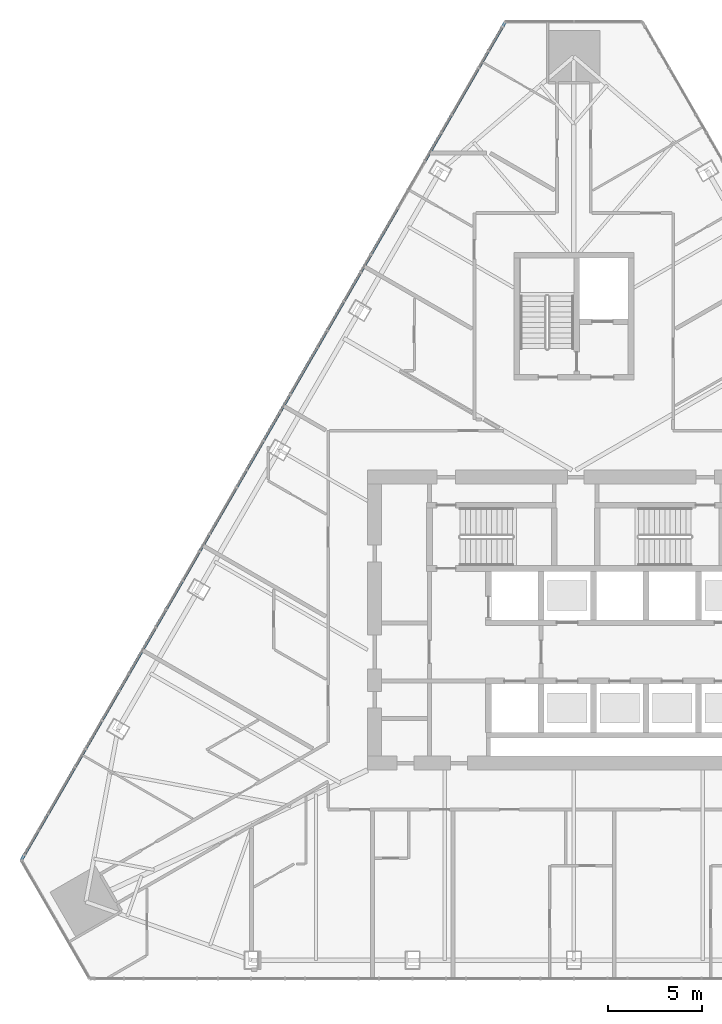
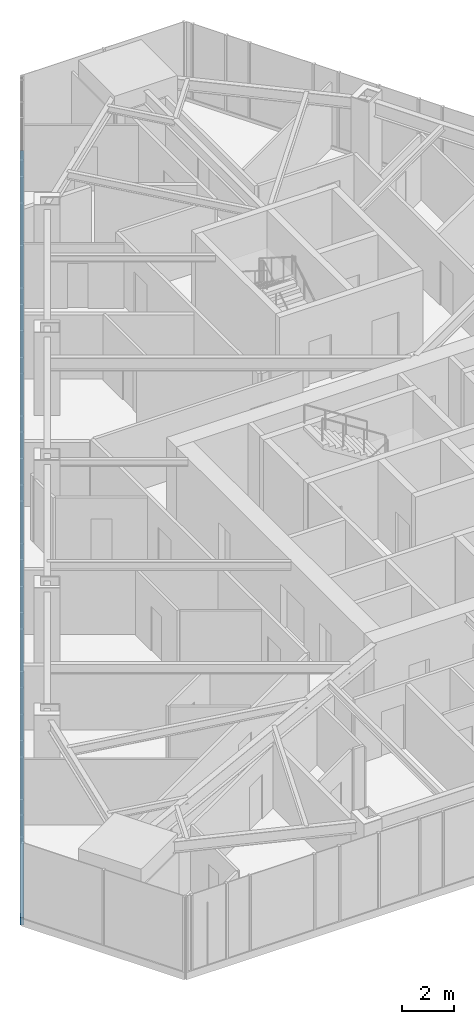
# One storey, part 5 of 24: 1 member, 1 element without a shape of its own.
"""IFC4 building model written with IfcOpenShell, lengths in metres."""

import ifcopenshell
import ifcopenshell.guid

model = None  # the IFC model being written
_history = None  # IfcOwnerHistory: only IFC2X3 demands one
_inside = {}  # id of a spatial element -> (the spatial element, [elements in it])
_under = {}  # id of a project, library or spatial element -> (it, [spatial elements below it])
_declared = {}  # id of a project -> (the project, [libraries it declares])
_typed = {}  # id of a type object -> (the type object, [elements of that type])
_made_of = {}  # id of a material, layer set ... -> (it, [elements and type objects made of it])


def new_model(schema):
    """Start an empty IFC model of exactly this schema.

    Asked for "IFC4X3", IfcOpenShell would pick the latest addendum, in which some entities
    have other attributes; the version numbers below select the first issue.
    IFC2X3 requires an IfcOwnerHistory on every rooted entity: one is made here for all.
    """
    global model, _history
    if schema == "IFC4X3":
        model = ifcopenshell.file(schema_version=(4, 3, 0, 0))
    else:
        model = ifcopenshell.file(schema=schema)
    _inside.clear()
    _under.clear()
    _declared.clear()
    _typed.clear()
    _made_of.clear()
    _history = None
    if model.schema == "IFC2X3":
        org = make("IfcOrganization", Name="unknown")
        user = make(
            "IfcPersonAndOrganization",
            ThePerson=make("IfcPerson", FamilyName="unknown"),
            TheOrganization=org,
        )
        app = make(
            "IfcApplication",
            ApplicationDeveloper=org,
            Version="unknown",
            ApplicationFullName="unknown",
            ApplicationIdentifier="unknown",
        )
        _history = make(
            "IfcOwnerHistory",
            OwningUser=user,
            OwningApplication=app,
            ChangeAction="ADDED",
            CreationDate=0,
        )
    return model


def make(cls, **values):
    """One entity of the class cls with the attributes given. An attribute that is None is left unset."""
    return model.create_entity(
        cls, **{name: value for name, value in values.items() if value is not None}
    )


def rooted(cls, **values):
    """An entity with a GlobalId (a new one), such as an element, a storey or a relation."""
    return make(cls, GlobalId=ifcopenshell.guid.new(), OwnerHistory=_history, **values)


def si_unit(unit_type, name, prefix=None):
    """IfcSIUnit, for example si_unit("LENGTHUNIT", "METRE", prefix="MILLI")."""
    return make("IfcSIUnit", UnitType=unit_type, Prefix=prefix, Name=name)


def assignment(units):
    """IfcUnitAssignment: the units of a project."""
    return None if units is None else make("IfcUnitAssignment", Units=units)


def point(xyz):
    """IfcCartesianPoint."""
    return None if xyz is None else make("IfcCartesianPoint", Coordinates=xyz)


def direction(xyz):
    """IfcDirection."""
    return None if xyz is None else make("IfcDirection", DirectionRatios=xyz)


def frame(location, z_axis=None, x_axis=None):
    """IfcAxis2Placement3D, a coordinate frame: its origin and axes. An axis left out is left unset."""
    return make(
        "IfcAxis2Placement3D",
        Location=point(location),
        Axis=direction(z_axis),
        RefDirection=direction(x_axis),
    )


def frame_2d(location, x_axis=None):
    """IfcAxis2Placement2D, a coordinate frame in the plane: its origin and x axis."""
    return make(
        "IfcAxis2Placement2D", Location=point(location), RefDirection=direction(x_axis)
    )


def origin():
    """The frame at (0, 0, 0) with its axes left unset."""
    return frame((0.0, 0.0, 0.0))


def origin_2d():
    """The frame at (0, 0) in the plane with its x axis left unset."""
    return frame_2d((0.0, 0.0))


def place(relative_to, where):
    """IfcLocalPlacement: puts the frame where relative to a parent placement (None: the world)."""
    return make(
        "IfcLocalPlacement", PlacementRelTo=relative_to, RelativePlacement=where
    )


def context(
    kind, dimensions, precision=None, world=None, true_north=None, identifier=None
):
    """IfcGeometricRepresentationContext, for example the 3D "Model" context."""
    return make(
        "IfcGeometricRepresentationContext",
        ContextIdentifier=identifier,
        ContextType=kind,
        CoordinateSpaceDimension=dimensions,
        Precision=precision,
        WorldCoordinateSystem=world,
        TrueNorth=true_north,
    )


def subcontext(parent, identifier, kind, view, scale=None):
    """IfcGeometricRepresentationSubContext, for example "Body" below "Model"."""
    return make(
        "IfcGeometricRepresentationSubContext",
        ContextIdentifier=identifier,
        ContextType=kind,
        ParentContext=parent,
        TargetScale=scale,
        TargetView=view,
    )


def project(units=None, contexts=None):
    """IfcProject with its units and contexts."""
    return rooted(
        "IfcProject",
        Name="project",
        RepresentationContexts=contexts,
        UnitsInContext=assignment(units),
    )


def spatial(cls, under=None, at=None, **own):
    """A site, building, storey or space (cls), placed at a placement, below another one or the project."""
    s = rooted(cls, ObjectPlacement=at, **own)
    if under is not None:
        _under.setdefault(under.id(), (under, []))[1].append(s)
    return s


def profile(cls, at=None, kind="AREA", **sizes):
    """A parametric profile (cls). Its sizes go by their IFC names, for example OverallWidth=200.0."""
    return make(cls, ProfileType=kind, Position=at, **sizes)


def rectangle(**sizes):
    """IfcRectangleProfileDef."""
    return profile("IfcRectangleProfileDef", **sizes)


def extrude(swept, where, along, depth):
    """IfcExtrudedAreaSolid: the profile swept, set in the frame where, extruded along a direction by depth."""
    return make(
        "IfcExtrudedAreaSolid",
        SweptArea=swept,
        Position=where,
        ExtrudedDirection=direction(along),
        Depth=depth,
    )


def shape(context_of_items, identifier, shape_type, items):
    """IfcShapeRepresentation: the items that make up one representation, for example the "Body"."""
    return make(
        "IfcShapeRepresentation",
        ContextOfItems=context_of_items,
        RepresentationIdentifier=identifier,
        RepresentationType=shape_type,
        Items=items,
    )


def material(Name=None, Category=None):
    """IfcMaterial."""
    return make("IfcMaterial", Name=Name, Category=Category)


def layer(
    of_material, thickness, ventilated=None, Name=None, Category=None, Priority=None
):
    """IfcMaterialLayer: one layer of a wall or slab, of a material (None: an air gap)."""
    return make(
        "IfcMaterialLayer",
        Material=of_material,
        LayerThickness=thickness,
        IsVentilated=ventilated,
        Name=Name,
        Category=Category,
        Priority=Priority,
    )


def layer_set(layers, Name=None):
    """IfcMaterialLayerSet."""
    return make("IfcMaterialLayerSet", MaterialLayers=layers, LayerSetName=Name)


def material_profile(
    of_material, cross_section, Name=None, Category=None, Priority=None
):
    """IfcMaterialProfile: a cross section and its material."""
    return make(
        "IfcMaterialProfile",
        Name=Name,
        Material=of_material,
        Profile=cross_section,
        Priority=Priority,
        Category=Category,
    )


def profile_set(profiles, Name=None, composite=None):
    """IfcMaterialProfileSet."""
    return make(
        "IfcMaterialProfileSet",
        Name=Name,
        MaterialProfiles=profiles,
        CompositeProfile=composite,
    )


def made_of(thing, what):
    """Note that an element or type object is made of a material, layer set ...; save() writes the relation."""
    if what is not None:
        _made_of.setdefault(what.id(), (what, []))[1].append(thing)
    return thing


def type_object(cls, material=None, **own):
    """A type object (cls), such as IfcWallType, which elements share."""
    return made_of(rooted(cls, **own), material)


def element(
    cls,
    number,
    at=None,
    inside=None,
    cuts=None,
    type_object=None,
    material=None,
    context=None,
    identifier="Body",
    shape_type=None,
    held_by="IfcProductDefinitionShape",
    body=None,
    shapes=None,
    **own,
):
    """One element of the class cls, such as IfcWall. Its Tag is "e" and its number.

    at: its placement. inside: the storey or other place that contains it. cuts: it is an
    opening in that element (IfcRelVoidsElement). A single representation is given by context,
    identifier, shape_type and body (its items); several are given by shapes. held_by: the class
    of the entity that holds the representations. save() writes the other relations.
    """
    e = rooted(cls, Tag="e%d" % number, ObjectPlacement=at, **own)
    if body is not None:
        shapes = [shape(context, identifier, shape_type, body)]
    if shapes is not None:
        e.Representation = make(held_by, Representations=shapes)
    if inside is not None:
        _inside.setdefault(inside.id(), (inside, []))[1].append(e)
    if cuts is not None:
        rooted(
            "IfcRelVoidsElement", RelatingBuildingElement=cuts, RelatedOpeningElement=e
        )
    if type_object is not None:
        _typed.setdefault(type_object.id(), (type_object, []))[1].append(e)
    return made_of(e, material)


def aggregate(whole, parts):
    """IfcRelAggregates: a whole, such as a stair, and the parts it consists of."""
    return rooted("IfcRelAggregates", RelatingObject=whole, RelatedObjects=parts)


def save(model, path):
    """Write the relations noted so far, then the file.

    IfcRelAggregates (storeys below a building ...), IfcRelContainedInSpatialStructure (elements
    in a storey), IfcRelDefinesByType, IfcRelAssociatesMaterial and IfcRelDeclares: one each for
    every whole, place, type object, material and project.
    """
    for whole, parts in _under.values():
        aggregate(whole, parts)
    for where, things in _inside.values():
        rooted(
            "IfcRelContainedInSpatialStructure",
            RelatedElements=things,
            RelatingStructure=where,
        )
    for kind, things in _typed.values():
        rooted("IfcRelDefinesByType", RelatedObjects=things, RelatingType=kind)
    for what, things in _made_of.values():
        rooted("IfcRelAssociatesMaterial", RelatedObjects=things, RelatingMaterial=what)
    for by, libraries in _declared.values():
        rooted("IfcRelDeclares", RelatingContext=by, RelatedDefinitions=libraries)
    model.write(path)


model = new_model("IFC4")

# Units and contexts
model_context = context("Model", 3, precision=1e-05, world=origin(), true_north=direction((0.0, 1.0)))
body_context = subcontext(model_context, "Body", "Model", "MODEL_VIEW")
ifc_project = project(units=[si_unit("LENGTHUNIT", "METRE"), si_unit("AREAUNIT", "SQUARE_METRE"), si_unit("VOLUMEUNIT", "CUBIC_METRE"), si_unit("PLANEANGLEUNIT", "RADIAN"), si_unit("MASSUNIT", "GRAM", prefix="KILO")], contexts=[model_context])

# Site, building, storey
site_placement = place(None, origin())
site = spatial("IfcSite", under=ifc_project, at=site_placement, CompositionType="ELEMENT")
building_placement = place(site_placement, origin())
building = spatial("IfcBuilding", under=site, at=building_placement, Name="Firuza Gate Tower and Library", CompositionType="ELEMENT")
storey_placement = place(building_placement, frame((0.0, 0.0, 206.5)))
storey = spatial("IfcBuildingStorey", under=building, at=storey_placement, Name="L48", CompositionType="ELEMENT", Elevation=206.5)

# Curtain wall, member
ifc_material_1 = material(Name="Aluminium 6063-T6", Category="aluminium")
ifc_layer = layer(ifc_material_1, 0.14990234375)
ifc_layer_set = layer_set([ifc_layer], Name="Unitised curtain wall, hotel")
curtain_wall_type = type_object("IfcCurtainWallType", Name="Unitised curtain wall, hotel", PredefinedType="NOTDEFINED", material=ifc_layer_set)
curtain_wall_placement = place(storey_placement, origin())
curtain_wall = element("IfcCurtainWall", 1, at=curtain_wall_placement, inside=storey, type_object=curtain_wall_type, Name="CW2 L48 W face", PredefinedType="NOTDEFINED")
ifc_material_2 = material(Name="Aluminium 6063-T6", Category="aluminium")
ifc_material_profile = material_profile(ifc_material_2, rectangle(XDim=0.14990234375, YDim=0.35009765625, at=origin_2d()))
ifc_profile_set = profile_set([ifc_material_profile], Name="Aluminium 6063-T6")
member_type = type_object("IfcMemberType", Name="Curtain wall transom 350x150", PredefinedType="USERDEFINED", material=ifc_profile_set)
member_placement = place(storey_placement, frame((71.356689453125, 106.923095703125, -0.02490234375), z_axis=(-0.499998236205, -0.86602642211, 0.0), x_axis=(0.86602642211, -0.499998236205, 0.0)))
member = element("IfcMember", 2, at=member_placement, type_object=member_type, Name="Transom", ObjectType="TRANSOM", PredefinedType="USERDEFINED", context=body_context, shape_type="SweptSolid", body=[
    extrude(rectangle(XDim=0.14990234375, YDim=0.35009765625, at=origin_2d()), origin(), (0.0, 0.0, 1.0), 51.649169921875),
])
aggregate(curtain_wall, [member])

save(model, "model.ifc")
